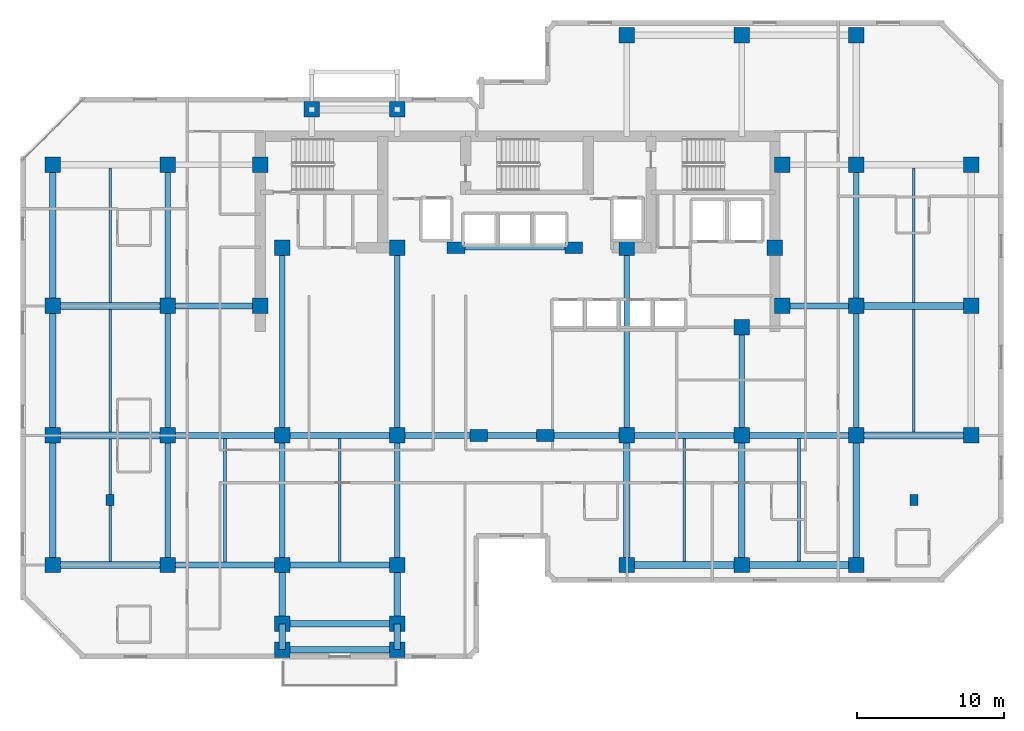
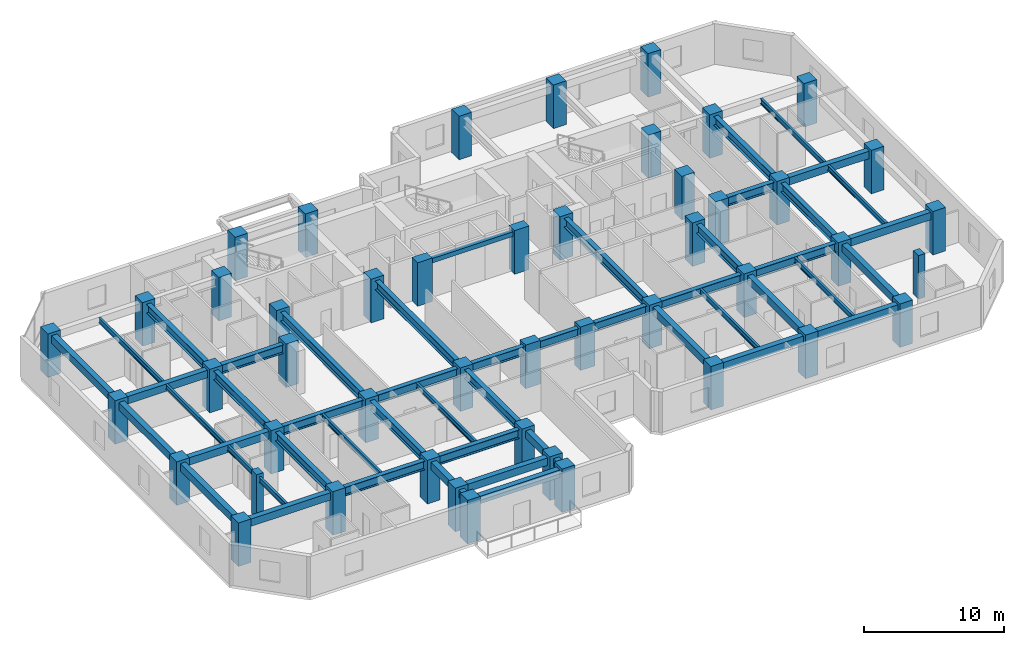
# One storey, part 1 of 10: 51 beams, 47 columns.
"""IFC4 building model written with IfcOpenShell, lengths in metres."""

from ifc_helpers import new_model, si_unit, direction, frame, origin, origin_2d, place, context, subcontext, project, spatial, rectangle, i_section, extrude, material, material_profile, profile_set, type_object, element, save


model = new_model("IFC4")

# Units and contexts
model_context = context("Model", 3, precision=1e-05, world=origin(), true_north=direction((0.0, 1.0)))
body_context = subcontext(model_context, "Body", "Model", "MODEL_VIEW")
ifc_project = project(units=[si_unit("LENGTHUNIT", "METRE"), si_unit("AREAUNIT", "SQUARE_METRE"), si_unit("VOLUMEUNIT", "CUBIC_METRE"), si_unit("PLANEANGLEUNIT", "RADIAN"), si_unit("MASSUNIT", "GRAM", prefix="KILO")], contexts=[model_context])

# Site, building, storey
site_placement = place(None, origin())
site = spatial("IfcSite", under=ifc_project, at=site_placement, CompositionType="ELEMENT")
building_placement = place(site_placement, origin())
building = spatial("IfcBuilding", under=site, at=building_placement, Name="Kestravale Grand Hotel", CompositionType="ELEMENT")
storey_placement = place(building_placement, frame((0.0, 0.0, 138.39990234375)))
storey = spatial("IfcBuildingStorey", under=building, at=storey_placement, Name="L34", CompositionType="ELEMENT", Elevation=138.39990234375)

# Columns
ifc_material_1 = material(Name="Concrete f'c 60 MPa", Category="concrete")
ifc_material_profile_1 = material_profile(ifc_material_1, rectangle(XDim=1.050048828125, YDim=1.050048828125, at=origin_2d()))
ifc_profile_set_1 = profile_set([ifc_material_profile_1], Name="Concrete f'c 60 MPa")
column_type_1 = type_object("IfcColumnType", Name="C-Z3-1050", PredefinedType="COLUMN", material=ifc_profile_set_1)
for number, where, z_axis, x_axis, name in (
    (1, (7.800048828125, 11.199951171875, 0.0), (0.0, 0.0, 1.0), (1.0, 0.0, 0.0), "L34 column 2-C"),
    (2, (7.800048828125, 20.0, 0.0), (0.0, 0.0, 1.0), (1.0, 0.0, 0.0), "L34 column 2-D"),
    (3, (7.800048828125, 28.800048828125, 0.0), (0.0, 0.0, 1.0), (1.0, 0.0, 0.0), "L34 column 2-E"),
    (4, (7.800048828125, 38.39990234375, 0.0), (0.0, 0.0, 1.0), (1.0, 0.0, 0.0), "L34 column 2-F"),
    (5, (15.60009765625, 11.199951171875, 0.0), (0.0, 0.0, 1.0), (1.0, 0.0, 0.0), "L34 column 3-C"),
    (6, (15.60009765625, 20.0, 0.0), (0.0, 0.0, 1.0), (1.0, 0.0, 0.0), "L34 column 3-D"),
    (7, (15.60009765625, 28.800048828125, 0.0), (0.0, 0.0, 1.0), (1.0, 0.0, 0.0), "L34 column 3-E"),
    (8, (15.60009765625, 38.39990234375, 0.0), (0.0, 0.0, 1.0), (1.0, 0.0, 0.0), "L34 column 3-F"),
    (9, (23.39990234375, 11.199951171875, 0.0), (0.0, 0.0, 1.0), (1.0, 0.0, 0.0), "L34 column 4-C"),
    (10, (23.39990234375, 20.0, 0.0), (0.0, 0.0, 1.0), (1.0, 0.0, 0.0), "L34 column 4-D"),
    (11, (31.199951171875, 11.199951171875, 0.0), (0.0, 0.0, 1.0), (1.0, 0.0, 0.0), "L34 column 5-C"),
    (12, (31.199951171875, 20.0, 0.0), (0.0, 0.0, 1.0), (1.0, 0.0, 0.0), "L34 column 5-D"),
    (13, (46.800048828125, 11.199951171875, 0.0), (0.0, 0.0, 1.0), (1.0, 0.0, 0.0), "L34 column 8-C"),
    (14, (46.800048828125, 20.0, 0.0), (0.0, 0.0, 1.0), (1.0, 0.0, 0.0), "L34 column 8-D"),
    (15, (46.800048828125, 47.199951171875, 0.0), (0.0, 0.0, 1.0), (1.0, 0.0, 0.0), "L34 column 8-G"),
    (16, (54.60009765625, 11.199951171875, 0.0), (0.0, 0.0, 1.0), (1.0, 0.0, 0.0), "L34 column 9-C"),
    (17, (54.60009765625, 20.0, 0.0), (0.0, 0.0, 1.0), (1.0, 0.0, 0.0), "L34 column 9-D"),
    (18, (54.60009765625, 47.199951171875, 0.0), (0.0, 0.0, 1.0), (1.0, 0.0, 0.0), "L34 column 9-G"),
    (19, (62.39990234375, 11.199951171875, 0.0), (0.0, 0.0, 1.0), (1.0, 0.0, 0.0), "L34 column 10-C"),
    (20, (62.39990234375, 20.0, 0.0), (0.0, 0.0, 1.0), (1.0, 0.0, 0.0), "L34 column 10-D"),
    (21, (62.39990234375, 28.800048828125, 0.0), (0.0, 0.0, 1.0), (1.0, 0.0, 0.0), "L34 column 10-E"),
    (22, (62.39990234375, 38.39990234375, 0.0), (0.0, 0.0, 1.0), (1.0, 0.0, 0.0), "L34 column 10-F"),
    (23, (62.39990234375, 47.199951171875, 0.0), (0.0, 0.0, 1.0), (1.0, 0.0, 0.0), "L34 column 10-G"),
    (24, (70.199951171875, 20.0, 0.0), (0.0, 0.0, 1.0), (1.0, 0.0, 0.0), "L34 column 11-D"),
    (25, (70.199951171875, 28.800048828125, 0.0), (0.0, 0.0, 1.0), (1.0, 0.0, 0.0), "L34 column 11-E"),
    (26, (70.199951171875, 38.39990234375, 0.0), (0.0, 0.0, 1.0), (1.0, 0.0, 0.0), "L34 column 11-F"),
    (27, (21.89990234375, 28.800048828125, 0.0), (0.0, 0.0, 1.0), (1.0, 0.0, 0.0), "L34 column CW-E"),
    (28, (21.89990234375, 38.39990234375, 0.0), (0.0, 0.0, 1.0), (1.0, 0.0, 0.0), "L34 column CW-F"),
    (29, (57.35009765625, 28.800048828125, 0.0), (0.0, 0.0, 1.0), (1.0, 0.0, 0.0), "L34 column CE-E"),
    (30, (57.35009765625, 38.39990234375, 0.0), (0.0, 0.0, 1.0), (1.0, 0.0, 0.0), "L34 column CE-F"),
    (31, (23.39990234375, 32.75, 0.0), (0.0, 0.0, 1.0), (1.0, 0.0, 0.0), "L34 column 4-CS"),
    (32, (31.199951171875, 32.75, 0.0), (0.0, 0.0, 1.0), (1.0, 0.0, 0.0), "L34 column 5-CS"),
    (33, (46.800048828125, 32.75, 0.0), (0.0, 0.0, 1.0), (1.0, 0.0, 0.0), "L34 column 8-CS"),
    (34, (54.60009765625, 27.35009765625, 0.0), (0.0, 0.0, 1.0), (1.0, 0.0, 0.0), "L34 column 9-CS"),
    (35, (56.85009765625, 32.75, 0.0), (0.0, 0.0, 1.0), (1.0, 0.0, 0.0), "L34 column 9C-CS"),
    (36, (23.39990234375, 7.199951171875, 0.0), (0.0, 0.0, 1.0), (1.0, 0.0, 0.0), "L34 column 4-BS"),
    (37, (31.199951171875, 7.199951171875, 0.0), (0.0, 0.0, 1.0), (1.0, 0.0, 0.0), "L34 column 5-BS"),
    (38, (25.39990234375, 42.14990234375, 0.0), (0.0, 0.0, 1.0), (1.0, 0.0, 0.0), "L34 column 4-FN"),
    (39, (31.199951171875, 42.14990234375, 0.0), (0.0, 0.0, 1.0), (1.0, 0.0, 0.0), "L34 column 5-FN"),
    (40, (23.39990234375, 5.449951171875, 0.0), (0.0, 0.0, 1.0), (1.0, 0.0, 0.0), "L34 column 4-B1S"),
    (41, (31.199951171875, 5.449951171875, 0.0), (0.0, 0.0, 1.0), (1.0, 0.0, 0.0), "L34 column 5-B1S"),
):
    element("IfcColumn", number, at=place(storey_placement, frame(where, z_axis=z_axis, x_axis=x_axis)), inside=storey, type_object=column_type_1, Name=name, PredefinedType="COLUMN", context=body_context, shape_type="SweptSolid", body=[
        extrude(rectangle(XDim=1.050048828125, YDim=1.050048828125, at=origin_2d()), origin(), (0.0, 0.0, 1.0), 3.800048828125),
    ])
ifc_material_2 = material(Name="Concrete f'c 60 MPa", Category="concrete")
ifc_material_profile_2 = material_profile(ifc_material_2, rectangle(XDim=1.199951171875, YDim=0.800048828125, at=origin_2d()))
ifc_profile_set_2 = profile_set([ifc_material_profile_2], Name="Concrete f'c 60 MPa")
column_type_2 = type_object("IfcColumnType", Name="C-Z3-1200X800", PredefinedType="COLUMN", material=ifc_profile_set_2)
for number, where, z_axis, x_axis, name in (
    (42, (36.75, 20.0, 0.0), (0.0, 0.0, 1.0), (1.0, 0.0, 0.0), "L34 column 6-D"),
    (43, (41.25, 20.0, 0.0), (0.0, 0.0, 1.0), (1.0, 0.0, 0.0), "L34 column 7-D"),
    (44, (35.199951171875, 32.75, 0.0), (0.0, 0.0, 1.0), (1.0, 0.0, 0.0), "L34 column 6C-CS"),
    (45, (43.199951171875, 32.75, 0.0), (0.0, 0.0, 1.0), (1.0, 0.0, 0.0), "L34 column 7C-CS"),
):
    element("IfcColumn", number, at=place(storey_placement, frame(where, z_axis=z_axis, x_axis=x_axis)), inside=storey, type_object=column_type_2, Name=name, PredefinedType="COLUMN", context=body_context, shape_type="SweptSolid", body=[
        extrude(rectangle(XDim=1.199951171875, YDim=0.800048828125, at=origin_2d()), origin(), (0.0, 0.0, 1.0), 3.800048828125),
    ])
ifc_material_3 = material(Name="Precast concrete f'c 45 MPa", Category="concrete")
ifc_material_profile_3 = material_profile(ifc_material_3, rectangle(XDim=0.550048828125, YDim=0.75, at=origin_2d()))
ifc_profile_set_3 = profile_set([ifc_material_profile_3], Name="Precast concrete f'c 45 MPa")
column_type_3 = type_object("IfcColumnType", Name="C-Z3-PIL750", PredefinedType="PILASTER", material=ifc_profile_set_3)
for number, where, z_axis, x_axis, name in (
    (46, (11.699951171875, 15.60009765625, 0.0), (0.0, 0.0, 1.0), (1.0, 0.0, 0.0), "L34 Art Deco fluted pilaster P1"),
    (47, (66.300048828125, 15.60009765625, 0.0), (0.0, 0.0, 1.0), (1.0, 0.0, 0.0), "L34 Art Deco fluted pilaster P2"),
):
    element("IfcColumn", number, at=place(storey_placement, frame(where, z_axis=z_axis, x_axis=x_axis)), inside=storey, type_object=column_type_3, Name=name, PredefinedType="PILASTER", context=body_context, shape_type="SweptSolid", body=[
        extrude(rectangle(XDim=0.550048828125, YDim=0.75, at=origin_2d()), origin(), (0.0, 0.0, 1.0), 3.800048828125),
    ])

# Beams
ifc_material_4 = material(Name="Steel ASTM A992 Grade 50", Category="steel")
ifc_material_profile_4 = material_profile(ifc_material_4, i_section(OverallWidth=0.19091796875, OverallDepth=0.45703125, WebThickness=0.009033203125, FlangeThickness=0.014404296875, FilletRadius=0.015380859375, at=origin_2d()))
ifc_profile_set_4 = profile_set([ifc_material_profile_4], Name="Steel ASTM A992 Grade 50")
beam_type_1 = type_object("IfcBeamType", Name="B-FLR-JST18", PredefinedType="JOIST", material=ifc_profile_set_4)
for number, where, z_axis, x_axis, name in (
    (48, (11.699951171875, 11.425048828125, 3.321533203125), (0.0, 1.0, 0.0), (-1.0, 0.0, 0.0), "L34 floor joist 2-3/C-D #1"),
    (49, (11.699951171875, 20.22509765625, 3.321533203125), (0.0, 1.0, 0.0), (-1.0, 0.0, 0.0), "L34 floor joist 2-3/D-E #1"),
):
    element("IfcBeam", number, at=place(storey_placement, frame(where, z_axis=z_axis, x_axis=x_axis)), inside=storey, type_object=beam_type_1, Name=name, PredefinedType="JOIST", context=body_context, shape_type="SweptSolid", body=[
        extrude(i_section(OverallWidth=0.19091796875, OverallDepth=0.45703125, WebThickness=0.009033203125, FlangeThickness=0.014404296875, FilletRadius=0.015380859375, at=origin_2d()), origin(), (0.0, 0.0, 1.0), 8.349853515625),
    ])
beam_1_placement = place(storey_placement, frame((11.699951171875, 29.02490234375, 3.321533203125), z_axis=(0.0, 1.0, 0.0), x_axis=(-1.0, 0.0, 0.0)))
element("IfcBeam", 50, at=beam_1_placement, inside=storey, type_object=beam_type_1, Name="L34 floor joist 2-3/E-F #1", PredefinedType="JOIST", context=body_context, shape_type="SweptSolid", body=[
    extrude(i_section(OverallWidth=0.19091796875, OverallDepth=0.45703125, WebThickness=0.009033203125, FlangeThickness=0.014404296875, FilletRadius=0.015380859375, at=origin_2d()), origin(), (0.0, 0.0, 1.0), 9.150146484375),
])
for number, where, z_axis, x_axis, name in (
    (51, (19.5, 11.390380859375, 3.321533203125), (0.0, 1.0, 0.0), (-1.0, 0.0, 0.0), "L34 floor joist 3-4/C-D #1"),
    (52, (27.300048828125, 11.390380859375, 3.321533203125), (0.0, 1.0, 0.0), (-1.0, 0.0, 0.0), "L34 floor joist 4-5/C-D #1"),
):
    element("IfcBeam", number, at=place(storey_placement, frame(where, z_axis=z_axis, x_axis=x_axis)), inside=storey, type_object=beam_type_1, Name=name, PredefinedType="JOIST", context=body_context, shape_type="SweptSolid", body=[
        extrude(i_section(OverallWidth=0.19091796875, OverallDepth=0.45703125, WebThickness=0.009033203125, FlangeThickness=0.014404296875, FilletRadius=0.015380859375, at=origin_2d()), origin(), (0.0, 0.0, 1.0), 8.419189453125),
    ])
for number, where, z_axis, x_axis, name in (
    (53, (50.699951171875, 11.425048828125, 3.321533203125), (0.0, 1.0, 0.0), (-1.0, 0.0, 0.0), "L34 floor joist 8-9/C-D #1"),
    (54, (58.5, 11.425048828125, 3.321533203125), (0.0, 1.0, 0.0), (-1.0, 0.0, 0.0), "L34 floor joist 9-10/C-D #1"),
):
    element("IfcBeam", number, at=place(storey_placement, frame(where, z_axis=z_axis, x_axis=x_axis)), inside=storey, type_object=beam_type_1, Name=name, PredefinedType="JOIST", context=body_context, shape_type="SweptSolid", body=[
        extrude(i_section(OverallWidth=0.19091796875, OverallDepth=0.45703125, WebThickness=0.009033203125, FlangeThickness=0.014404296875, FilletRadius=0.015380859375, at=origin_2d()), origin(), (0.0, 0.0, 1.0), 8.384521484375),
    ])
beam_2_placement = place(storey_placement, frame((66.300048828125, 20.22509765625, 3.321533203125), z_axis=(0.0, 1.0, 0.0), x_axis=(-1.0, 0.0, 0.0)))
element("IfcBeam", 55, at=beam_2_placement, inside=storey, type_object=beam_type_1, Name="L34 floor joist 10-11/D-E #1", PredefinedType="JOIST", context=body_context, shape_type="SweptSolid", body=[
    extrude(i_section(OverallWidth=0.19091796875, OverallDepth=0.45703125, WebThickness=0.009033203125, FlangeThickness=0.014404296875, FilletRadius=0.015380859375, at=origin_2d()), origin(), (0.0, 0.0, 1.0), 8.349853515625),
])
beam_3_placement = place(storey_placement, frame((66.300048828125, 29.02490234375, 3.321533203125), z_axis=(0.0, 1.0, 0.0), x_axis=(-1.0, 0.0, 0.0)))
element("IfcBeam", 56, at=beam_3_placement, inside=storey, type_object=beam_type_1, Name="L34 floor joist 10-11/E-F #1", PredefinedType="JOIST", context=body_context, shape_type="SweptSolid", body=[
    extrude(i_section(OverallWidth=0.19091796875, OverallDepth=0.45703125, WebThickness=0.009033203125, FlangeThickness=0.014404296875, FilletRadius=0.015380859375, at=origin_2d()), origin(), (0.0, 0.0, 1.0), 9.150146484375),
])
ifc_material_5 = material(Name="Concrete f'c 45 MPa", Category="concrete")
ifc_material_profile_5 = material_profile(ifc_material_5, rectangle(XDim=0.300048828125, YDim=0.39990234375, at=origin_2d()))
ifc_profile_set_5 = profile_set([ifc_material_profile_5], Name="Concrete f'c 45 MPa")
beam_type_2 = type_object("IfcBeamType", Name="B-FLR-LNT400", PredefinedType="LINTEL", material=ifc_profile_set_5)
beam_4_placement = place(storey_placement, frame((35.199951171875, 32.75, 3.35009765625), z_axis=(1.0, 0.0, 0.0), x_axis=(0.0, 1.0, 0.0)))
element("IfcBeam", 57, at=beam_4_placement, inside=storey, type_object=beam_type_2, Name="L34 core portal header lintel", PredefinedType="LINTEL", context=body_context, shape_type="SweptSolid", body=[
    extrude(rectangle(XDim=0.300048828125, YDim=0.39990234375, at=origin_2d()), origin(), (0.0, 0.0, 1.0), 8.0),
])
ifc_material_6 = material(Name="Concrete f'c 45 MPa", Category="concrete")
ifc_material_profile_6 = material_profile(ifc_material_6, rectangle(XDim=0.449951171875, YDim=0.64990234375, at=origin_2d()))
ifc_profile_set_6 = profile_set([ifc_material_profile_6], Name="Concrete f'c 45 MPa")
beam_type_3 = type_object("IfcBeamType", Name="B-FLR-RC650", PredefinedType="SPANDREL", material=ifc_profile_set_6)
for number, where, z_axis, x_axis, name in (
    (58, (7.800048828125, 11.199951171875, 3.22509765625), (1.0, 0.0, 0.0), (0.0, 1.0, 0.0), "L34 spandrel C:2-3"),
    (59, (46.800048828125, 11.199951171875, 3.22509765625), (1.0, 0.0, 0.0), (0.0, 1.0, 0.0), "L34 spandrel C:8-9"),
):
    element("IfcBeam", number, at=place(storey_placement, frame(where, z_axis=z_axis, x_axis=x_axis)), inside=storey, type_object=beam_type_3, Name=name, PredefinedType="SPANDREL", context=body_context, shape_type="SweptSolid", body=[
        extrude(rectangle(XDim=0.449951171875, YDim=0.64990234375, at=origin_2d()), origin(), (0.0, 0.0, 1.0), 7.800048828125),
    ])
beam_5_placement = place(storey_placement, frame((54.60009765625, 11.199951171875, 3.22509765625), z_axis=(1.0, 0.0, 0.0), x_axis=(0.0, 1.0, 0.0)))
element("IfcBeam", 60, at=beam_5_placement, inside=storey, type_object=beam_type_3, Name="L34 spandrel C:9-10", PredefinedType="SPANDREL", context=body_context, shape_type="SweptSolid", body=[
    extrude(rectangle(XDim=0.449951171875, YDim=0.64990234375, at=origin_2d()), origin(), (0.0, 0.0, 1.0), 7.7998046875),
])
for number, where, z_axis, x_axis, name in (
    (61, (7.800048828125, 20.0, 3.22509765625), (1.0, 0.0, 0.0), (0.0, 1.0, 0.0), "L34 spandrel D:2-3"),
    (62, (62.39990234375, 20.0, 3.22509765625), (1.0, 0.0, 0.0), (0.0, 1.0, 0.0), "L34 spandrel D:10-11"),
    (63, (7.800048828125, 28.800048828125, 3.22509765625), (1.0, 0.0, 0.0), (0.0, 1.0, 0.0), "L34 spandrel E:2-3"),
    (64, (62.39990234375, 28.800048828125, 3.22509765625), (1.0, 0.0, 0.0), (0.0, 1.0, 0.0), "L34 spandrel E:10-11"),
    (65, (23.39990234375, 5.449951171875, 3.22509765625), (1.0, 0.0, 0.0), (0.0, 1.0, 0.0), "L34 perimeter tie spandrel B1S:4-5"),
    (66, (23.39990234375, 7.199951171875, 3.22509765625), (1.0, 0.0, 0.0), (0.0, 1.0, 0.0), "L34 perimeter tie spandrel BS:4-5"),
):
    element("IfcBeam", number, at=place(storey_placement, frame(where, z_axis=z_axis, x_axis=x_axis)), inside=storey, type_object=beam_type_3, Name=name, PredefinedType="SPANDREL", context=body_context, shape_type="SweptSolid", body=[
        extrude(rectangle(XDim=0.449951171875, YDim=0.64990234375, at=origin_2d()), origin(), (0.0, 0.0, 1.0), 7.800048828125),
    ])
for number, where, z_axis, x_axis, name in (
    (67, (7.800048828125, 11.199951171875, 3.22509765625), (0.0, 1.0, 0.0), (-1.0, 0.0, 0.0), "L34 spandrel 2:C-D"),
    (68, (7.800048828125, 20.0, 3.22509765625), (0.0, 1.0, 0.0), (-1.0, 0.0, 0.0), "L34 spandrel 2:D-E"),
):
    element("IfcBeam", number, at=place(storey_placement, frame(where, z_axis=z_axis, x_axis=x_axis)), inside=storey, type_object=beam_type_3, Name=name, PredefinedType="SPANDREL", context=body_context, shape_type="SweptSolid", body=[
        extrude(rectangle(XDim=0.449951171875, YDim=0.64990234375, at=origin_2d()), origin(), (0.0, 0.0, 1.0), 8.800048828125),
    ])
beam_6_placement = place(storey_placement, frame((7.800048828125, 28.800048828125, 3.22509765625), z_axis=(0.0, 1.0, 0.0), x_axis=(-1.0, 0.0, 0.0)))
element("IfcBeam", 69, at=beam_6_placement, inside=storey, type_object=beam_type_3, Name="L34 spandrel 2:E-F", PredefinedType="SPANDREL", context=body_context, shape_type="SweptSolid", body=[
    extrude(rectangle(XDim=0.449951171875, YDim=0.64990234375, at=origin_2d()), origin(), (0.0, 0.0, 1.0), 9.599853515625),
])
beam_7_placement = place(storey_placement, frame((23.39990234375, 5.449951171875, 3.22509765625), z_axis=(0.0, 1.0, 0.0), x_axis=(-1.0, 0.0, 0.0)))
element("IfcBeam", 70, at=beam_7_placement, inside=storey, type_object=beam_type_3, Name="L34 spandrel 4:B1S-BS", PredefinedType="SPANDREL", context=body_context, shape_type="SweptSolid", body=[
    extrude(rectangle(XDim=0.449951171875, YDim=0.64990234375, at=origin_2d()), origin(), (0.0, 0.0, 1.0), 1.75),
])
beam_8_placement = place(storey_placement, frame((23.39990234375, 7.199951171875, 3.22509765625), z_axis=(0.0, 1.0, 0.0), x_axis=(-1.0, 0.0, 0.0)))
element("IfcBeam", 71, at=beam_8_placement, inside=storey, type_object=beam_type_3, Name="L34 spandrel 4:BS-C", PredefinedType="SPANDREL", context=body_context, shape_type="SweptSolid", body=[
    extrude(rectangle(XDim=0.449951171875, YDim=0.64990234375, at=origin_2d()), origin(), (0.0, 0.0, 1.0), 4.0),
])
beam_9_placement = place(storey_placement, frame((31.199951171875, 5.449951171875, 3.22509765625), z_axis=(0.0, 1.0, 0.0), x_axis=(-1.0, 0.0, 0.0)))
element("IfcBeam", 72, at=beam_9_placement, inside=storey, type_object=beam_type_3, Name="L34 spandrel 5:B1S-BS", PredefinedType="SPANDREL", context=body_context, shape_type="SweptSolid", body=[
    extrude(rectangle(XDim=0.449951171875, YDim=0.64990234375, at=origin_2d()), origin(), (0.0, 0.0, 1.0), 1.75),
])
beam_10_placement = place(storey_placement, frame((31.199951171875, 7.199951171875, 3.22509765625), z_axis=(0.0, 1.0, 0.0), x_axis=(-1.0, 0.0, 0.0)))
element("IfcBeam", 73, at=beam_10_placement, inside=storey, type_object=beam_type_3, Name="L34 spandrel 5:BS-C", PredefinedType="SPANDREL", context=body_context, shape_type="SweptSolid", body=[
    extrude(rectangle(XDim=0.449951171875, YDim=0.64990234375, at=origin_2d()), origin(), (0.0, 0.0, 1.0), 4.0),
])
for number, where, z_axis, x_axis, name in (
    (74, (46.800048828125, 11.199951171875, 3.22509765625), (0.0, 1.0, 0.0), (-1.0, 0.0, 0.0), "L34 spandrel 8:C-D"),
    (75, (54.60009765625, 11.199951171875, 3.22509765625), (0.0, 1.0, 0.0), (-1.0, 0.0, 0.0), "L34 spandrel 9:C-D"),
    (76, (62.39990234375, 11.199951171875, 3.22509765625), (0.0, 1.0, 0.0), (-1.0, 0.0, 0.0), "L34 spandrel 10:C-D"),
):
    element("IfcBeam", number, at=place(storey_placement, frame(where, z_axis=z_axis, x_axis=x_axis)), inside=storey, type_object=beam_type_3, Name=name, PredefinedType="SPANDREL", context=body_context, shape_type="SweptSolid", body=[
        extrude(rectangle(XDim=0.449951171875, YDim=0.64990234375, at=origin_2d()), origin(), (0.0, 0.0, 1.0), 8.800048828125),
    ])
ifc_material_7 = material(Name="Steel ASTM A992 Grade 50", Category="steel")
ifc_material_profile_7 = material_profile(ifc_material_7, i_section(OverallWidth=0.381103515625, OverallDepth=0.77197265625, WebThickness=0.0166015625, FlangeThickness=0.027099609375, FilletRadius=0.023681640625, at=origin_2d()))
ifc_profile_set_7 = profile_set([ifc_material_profile_7], Name="Steel ASTM A992 Grade 50")
beam_type_4 = type_object("IfcBeamType", Name="B-GRD-W30", PredefinedType="BEAM", material=ifc_profile_set_7)
beam_11_placement = place(storey_placement, frame((15.60009765625, 11.199951171875, 3.1640625), z_axis=(1.0, 0.0, 0.0), x_axis=(0.0, 1.0, 0.0)))
element("IfcBeam", 77, at=beam_11_placement, inside=storey, type_object=beam_type_4, Name="L34 girder C:3-4", PredefinedType="BEAM", context=body_context, shape_type="SweptSolid", body=[
    extrude(i_section(OverallWidth=0.381103515625, OverallDepth=0.77197265625, WebThickness=0.0166015625, FlangeThickness=0.027099609375, FilletRadius=0.023681640625, at=origin_2d()), origin(), (0.0, 0.0, 1.0), 7.7998046875),
])
beam_12_placement = place(storey_placement, frame((23.39990234375, 11.199951171875, 3.1640625), z_axis=(1.0, 0.0, 0.0), x_axis=(0.0, 1.0, 0.0)))
element("IfcBeam", 78, at=beam_12_placement, inside=storey, type_object=beam_type_4, Name="L34 girder C:4-5", PredefinedType="BEAM", context=body_context, shape_type="SweptSolid", body=[
    extrude(i_section(OverallWidth=0.381103515625, OverallDepth=0.77197265625, WebThickness=0.0166015625, FlangeThickness=0.027099609375, FilletRadius=0.023681640625, at=origin_2d()), origin(), (0.0, 0.0, 1.0), 7.800048828125),
])
beam_13_placement = place(storey_placement, frame((15.60009765625, 20.0, 3.1640625), z_axis=(1.0, 0.0, 0.0), x_axis=(0.0, 1.0, 0.0)))
element("IfcBeam", 79, at=beam_13_placement, inside=storey, type_object=beam_type_4, Name="L34 girder D:3-4", PredefinedType="BEAM", context=body_context, shape_type="SweptSolid", body=[
    extrude(i_section(OverallWidth=0.381103515625, OverallDepth=0.77197265625, WebThickness=0.0166015625, FlangeThickness=0.027099609375, FilletRadius=0.023681640625, at=origin_2d()), origin(), (0.0, 0.0, 1.0), 7.7998046875),
])
beam_14_placement = place(storey_placement, frame((23.39990234375, 20.0, 3.1640625), z_axis=(1.0, 0.0, 0.0), x_axis=(0.0, 1.0, 0.0)))
element("IfcBeam", 80, at=beam_14_placement, inside=storey, type_object=beam_type_4, Name="L34 girder D:4-5", PredefinedType="BEAM", context=body_context, shape_type="SweptSolid", body=[
    extrude(i_section(OverallWidth=0.381103515625, OverallDepth=0.77197265625, WebThickness=0.0166015625, FlangeThickness=0.027099609375, FilletRadius=0.023681640625, at=origin_2d()), origin(), (0.0, 0.0, 1.0), 7.800048828125),
])
beam_15_placement = place(storey_placement, frame((31.199951171875, 20.0, 3.1640625), z_axis=(1.0, 0.0, 0.0), x_axis=(0.0, 1.0, 0.0)))
element("IfcBeam", 81, at=beam_15_placement, inside=storey, type_object=beam_type_4, Name="L34 girder D:5-6", PredefinedType="BEAM", context=body_context, shape_type="SweptSolid", body=[
    extrude(i_section(OverallWidth=0.381103515625, OverallDepth=0.77197265625, WebThickness=0.0166015625, FlangeThickness=0.027099609375, FilletRadius=0.023681640625, at=origin_2d()), origin(), (0.0, 0.0, 1.0), 5.550048828125),
])
beam_16_placement = place(storey_placement, frame((36.75, 20.0, 3.1640625), z_axis=(1.0, 0.0, 0.0), x_axis=(0.0, 1.0, 0.0)))
element("IfcBeam", 82, at=beam_16_placement, inside=storey, type_object=beam_type_4, Name="L34 girder D:6-7", PredefinedType="BEAM", context=body_context, shape_type="SweptSolid", body=[
    extrude(i_section(OverallWidth=0.381103515625, OverallDepth=0.77197265625, WebThickness=0.0166015625, FlangeThickness=0.027099609375, FilletRadius=0.023681640625, at=origin_2d()), origin(), (0.0, 0.0, 1.0), 4.5),
])
beam_17_placement = place(storey_placement, frame((41.25, 20.0, 3.1640625), z_axis=(1.0, 0.0, 0.0), x_axis=(0.0, 1.0, 0.0)))
element("IfcBeam", 83, at=beam_17_placement, inside=storey, type_object=beam_type_4, Name="L34 girder D:7-8", PredefinedType="BEAM", context=body_context, shape_type="SweptSolid", body=[
    extrude(i_section(OverallWidth=0.381103515625, OverallDepth=0.77197265625, WebThickness=0.0166015625, FlangeThickness=0.027099609375, FilletRadius=0.023681640625, at=origin_2d()), origin(), (0.0, 0.0, 1.0), 5.550048828125),
])
beam_18_placement = place(storey_placement, frame((46.800048828125, 20.0, 3.1640625), z_axis=(1.0, 0.0, 0.0), x_axis=(0.0, 1.0, 0.0)))
element("IfcBeam", 84, at=beam_18_placement, inside=storey, type_object=beam_type_4, Name="L34 girder D:8-9", PredefinedType="BEAM", context=body_context, shape_type="SweptSolid", body=[
    extrude(i_section(OverallWidth=0.381103515625, OverallDepth=0.77197265625, WebThickness=0.0166015625, FlangeThickness=0.027099609375, FilletRadius=0.023681640625, at=origin_2d()), origin(), (0.0, 0.0, 1.0), 7.800048828125),
])
beam_19_placement = place(storey_placement, frame((54.60009765625, 20.0, 3.1640625), z_axis=(1.0, 0.0, 0.0), x_axis=(0.0, 1.0, 0.0)))
element("IfcBeam", 85, at=beam_19_placement, inside=storey, type_object=beam_type_4, Name="L34 girder D:9-10", PredefinedType="BEAM", context=body_context, shape_type="SweptSolid", body=[
    extrude(i_section(OverallWidth=0.381103515625, OverallDepth=0.77197265625, WebThickness=0.0166015625, FlangeThickness=0.027099609375, FilletRadius=0.023681640625, at=origin_2d()), origin(), (0.0, 0.0, 1.0), 7.7998046875),
])
beam_20_placement = place(storey_placement, frame((15.60009765625, 28.800048828125, 3.1640625), z_axis=(1.0, 0.0, 0.0), x_axis=(0.0, 1.0, 0.0)))
element("IfcBeam", 86, at=beam_20_placement, inside=storey, type_object=beam_type_4, Name="L34 girder E:3-CW", PredefinedType="BEAM", context=body_context, shape_type="SweptSolid", body=[
    extrude(i_section(OverallWidth=0.381103515625, OverallDepth=0.77197265625, WebThickness=0.0166015625, FlangeThickness=0.027099609375, FilletRadius=0.023681640625, at=origin_2d()), origin(), (0.0, 0.0, 1.0), 6.2998046875),
])
beam_21_placement = place(storey_placement, frame((57.35009765625, 28.800048828125, 3.1640625), z_axis=(1.0, 0.0, 0.0), x_axis=(0.0, 1.0, 0.0)))
element("IfcBeam", 87, at=beam_21_placement, inside=storey, type_object=beam_type_4, Name="L34 girder E:CE-10", PredefinedType="BEAM", context=body_context, shape_type="SweptSolid", body=[
    extrude(i_section(OverallWidth=0.381103515625, OverallDepth=0.77197265625, WebThickness=0.0166015625, FlangeThickness=0.027099609375, FilletRadius=0.023681640625, at=origin_2d()), origin(), (0.0, 0.0, 1.0), 5.0498046875),
])
for number, where, z_axis, x_axis, name in (
    (88, (15.60009765625, 11.199951171875, 3.1640625), (0.0, 1.0, 0.0), (-1.0, 0.0, 0.0), "L34 girder 3:C-D"),
    (89, (15.60009765625, 20.0, 3.1640625), (0.0, 1.0, 0.0), (-1.0, 0.0, 0.0), "L34 girder 3:D-E"),
):
    element("IfcBeam", number, at=place(storey_placement, frame(where, z_axis=z_axis, x_axis=x_axis)), inside=storey, type_object=beam_type_4, Name=name, PredefinedType="BEAM", context=body_context, shape_type="SweptSolid", body=[
        extrude(i_section(OverallWidth=0.381103515625, OverallDepth=0.77197265625, WebThickness=0.0166015625, FlangeThickness=0.027099609375, FilletRadius=0.023681640625, at=origin_2d()), origin(), (0.0, 0.0, 1.0), 8.800048828125),
    ])
beam_22_placement = place(storey_placement, frame((15.60009765625, 28.800048828125, 3.1640625), z_axis=(0.0, 1.0, 0.0), x_axis=(-1.0, 0.0, 0.0)))
element("IfcBeam", 90, at=beam_22_placement, inside=storey, type_object=beam_type_4, Name="L34 girder 3:E-F", PredefinedType="BEAM", context=body_context, shape_type="SweptSolid", body=[
    extrude(i_section(OverallWidth=0.381103515625, OverallDepth=0.77197265625, WebThickness=0.0166015625, FlangeThickness=0.027099609375, FilletRadius=0.023681640625, at=origin_2d()), origin(), (0.0, 0.0, 1.0), 9.599853515625),
])
beam_23_placement = place(storey_placement, frame((23.39990234375, 11.199951171875, 3.1640625), z_axis=(0.0, 1.0, 0.0), x_axis=(-1.0, 0.0, 0.0)))
element("IfcBeam", 91, at=beam_23_placement, inside=storey, type_object=beam_type_4, Name="L34 girder 4:C-D", PredefinedType="BEAM", context=body_context, shape_type="SweptSolid", body=[
    extrude(i_section(OverallWidth=0.381103515625, OverallDepth=0.77197265625, WebThickness=0.0166015625, FlangeThickness=0.027099609375, FilletRadius=0.023681640625, at=origin_2d()), origin(), (0.0, 0.0, 1.0), 8.800048828125),
])
beam_24_placement = place(storey_placement, frame((23.39990234375, 20.0, 3.1640625), z_axis=(0.0, 1.0, 0.0), x_axis=(-1.0, 0.0, 0.0)))
element("IfcBeam", 92, at=beam_24_placement, inside=storey, type_object=beam_type_4, Name="L34 girder 4:D-CS", PredefinedType="BEAM", context=body_context, shape_type="SweptSolid", body=[
    extrude(i_section(OverallWidth=0.381103515625, OverallDepth=0.77197265625, WebThickness=0.0166015625, FlangeThickness=0.027099609375, FilletRadius=0.023681640625, at=origin_2d()), origin(), (0.0, 0.0, 1.0), 12.75),
])
beam_25_placement = place(storey_placement, frame((31.199951171875, 11.199951171875, 3.1640625), z_axis=(0.0, 1.0, 0.0), x_axis=(-1.0, 0.0, 0.0)))
element("IfcBeam", 93, at=beam_25_placement, inside=storey, type_object=beam_type_4, Name="L34 girder 5:C-D", PredefinedType="BEAM", context=body_context, shape_type="SweptSolid", body=[
    extrude(i_section(OverallWidth=0.381103515625, OverallDepth=0.77197265625, WebThickness=0.0166015625, FlangeThickness=0.027099609375, FilletRadius=0.023681640625, at=origin_2d()), origin(), (0.0, 0.0, 1.0), 8.800048828125),
])
for number, where, z_axis, x_axis, name in (
    (94, (31.199951171875, 20.0, 3.1640625), (0.0, 1.0, 0.0), (-1.0, 0.0, 0.0), "L34 girder 5:D-CS"),
    (95, (46.800048828125, 20.0, 3.1640625), (0.0, 1.0, 0.0), (-1.0, 0.0, 0.0), "L34 girder 8:D-CS"),
):
    element("IfcBeam", number, at=place(storey_placement, frame(where, z_axis=z_axis, x_axis=x_axis)), inside=storey, type_object=beam_type_4, Name=name, PredefinedType="BEAM", context=body_context, shape_type="SweptSolid", body=[
        extrude(i_section(OverallWidth=0.381103515625, OverallDepth=0.77197265625, WebThickness=0.0166015625, FlangeThickness=0.027099609375, FilletRadius=0.023681640625, at=origin_2d()), origin(), (0.0, 0.0, 1.0), 12.75),
    ])
beam_26_placement = place(storey_placement, frame((54.60009765625, 20.0, 3.1640625), z_axis=(0.0, 1.0, 0.0), x_axis=(-1.0, 0.0, 0.0)))
element("IfcBeam", 96, at=beam_26_placement, inside=storey, type_object=beam_type_4, Name="L34 girder 9:D-CS", PredefinedType="BEAM", context=body_context, shape_type="SweptSolid", body=[
    extrude(i_section(OverallWidth=0.381103515625, OverallDepth=0.77197265625, WebThickness=0.0166015625, FlangeThickness=0.027099609375, FilletRadius=0.023681640625, at=origin_2d()), origin(), (0.0, 0.0, 1.0), 7.35009765625),
])
beam_27_placement = place(storey_placement, frame((62.39990234375, 20.0, 3.1640625), z_axis=(0.0, 1.0, 0.0), x_axis=(-1.0, 0.0, 0.0)))
element("IfcBeam", 97, at=beam_27_placement, inside=storey, type_object=beam_type_4, Name="L34 girder 10:D-E", PredefinedType="BEAM", context=body_context, shape_type="SweptSolid", body=[
    extrude(i_section(OverallWidth=0.381103515625, OverallDepth=0.77197265625, WebThickness=0.0166015625, FlangeThickness=0.027099609375, FilletRadius=0.023681640625, at=origin_2d()), origin(), (0.0, 0.0, 1.0), 8.800048828125),
])
beam_28_placement = place(storey_placement, frame((62.39990234375, 28.800048828125, 3.1640625), z_axis=(0.0, 1.0, 0.0), x_axis=(-1.0, 0.0, 0.0)))
element("IfcBeam", 98, at=beam_28_placement, inside=storey, type_object=beam_type_4, Name="L34 girder 10:E-F", PredefinedType="BEAM", context=body_context, shape_type="SweptSolid", body=[
    extrude(i_section(OverallWidth=0.381103515625, OverallDepth=0.77197265625, WebThickness=0.0166015625, FlangeThickness=0.027099609375, FilletRadius=0.023681640625, at=origin_2d()), origin(), (0.0, 0.0, 1.0), 9.599853515625),
])

save(model, "model.ifc")
